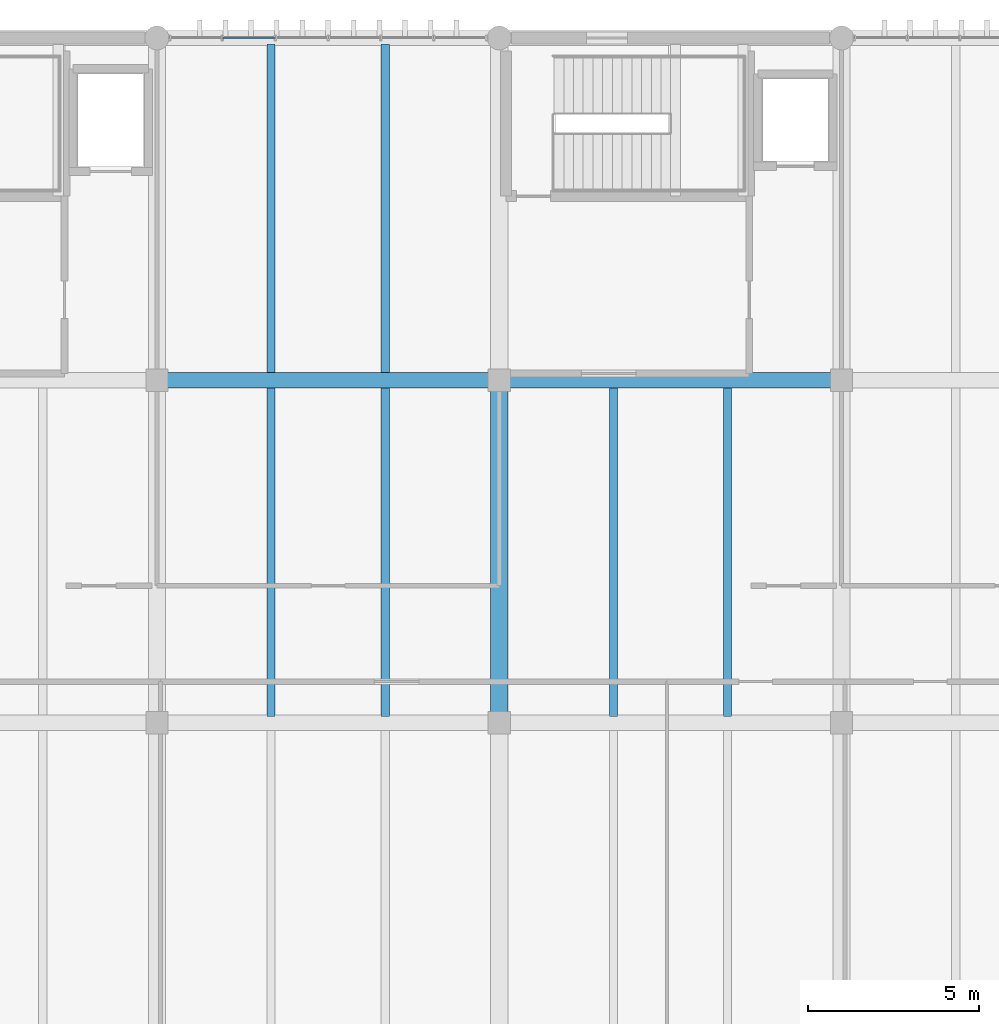
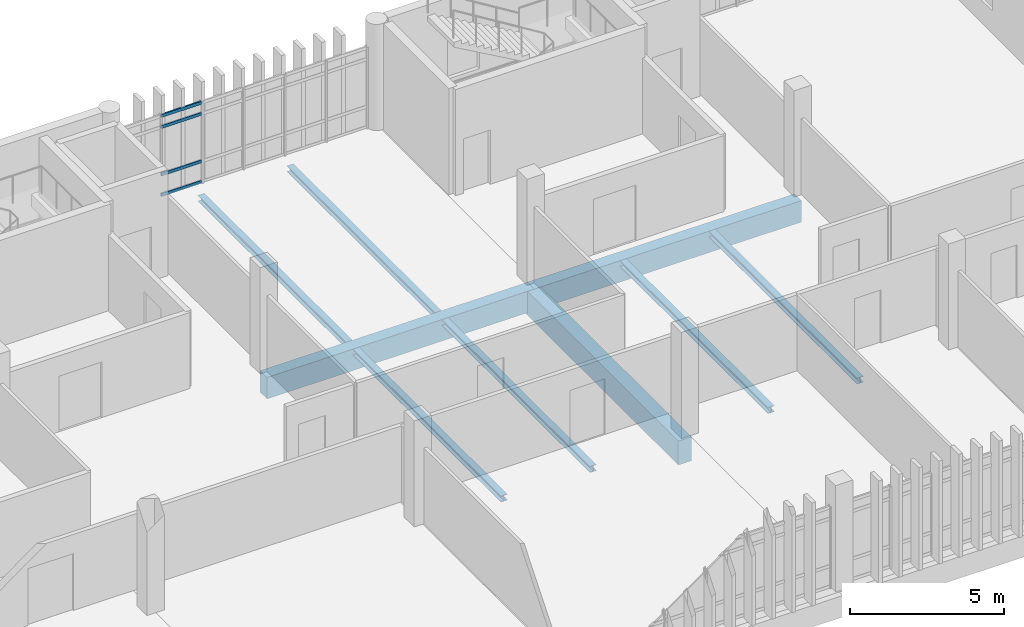
# One storey, part 38 of 82: 9 beams, 4 members, 1 element without a shape of its own.
"""IFC4 building model written with IfcOpenShell, lengths in metres."""

from ifc_helpers import new_model, si_unit, direction, frame, origin, origin_2d, place, context, subcontext, project, spatial, rectangle, hollow_rectangle, i_section, extrude, material, layer, layer_set, material_profile, profile_set, type_object, element, aggregate, save


model = new_model("IFC4")

# Units and contexts
model_context = context("Model", 3, precision=1e-05, world=origin(), true_north=direction((0.0, 1.0)))
body_context = subcontext(model_context, "Body", "Model", "MODEL_VIEW")
ifc_project = project(units=[si_unit("LENGTHUNIT", "METRE"), si_unit("AREAUNIT", "SQUARE_METRE"), si_unit("VOLUMEUNIT", "CUBIC_METRE"), si_unit("PLANEANGLEUNIT", "RADIAN"), si_unit("MASSUNIT", "GRAM", prefix="KILO")], contexts=[model_context])

# Site, building, storey
site_placement = place(None, origin())
site = spatial("IfcSite", under=ifc_project, at=site_placement, CompositionType="ELEMENT")
building_placement = place(site_placement, origin())
building = spatial("IfcBuilding", under=site, at=building_placement, Name="Mersad Railyard Sports Hall", CompositionType="ELEMENT")
storey_placement = place(building_placement, frame((0.0, 0.0, 13.199951171875)))
storey = spatial("IfcBuildingStorey", under=building, at=storey_placement, Name="L03", CompositionType="ELEMENT", Elevation=13.199951171875)

# Curtain wall, members
ifc_material_1 = material(Name="Aluminium 6063-T6", Category="aluminium")
ifc_layer = layer(ifc_material_1, 0.159912109375)
ifc_layer_set = layer_set([ifc_layer], Name="Aluminium 6063-T6")
curtain_wall_type = type_object("IfcCurtainWallType", Name="ARC-CW-CW58", PredefinedType="USERDEFINED", material=ifc_layer_set)
curtain_wall_placement = place(storey_placement, origin())
curtain_wall = element("IfcCurtainWall", 1, at=curtain_wall_placement, inside=storey, type_object=curtain_wall_type, Name="Curtain wall CW58-0153", ObjectType="CURTAIN WALL", PredefinedType="USERDEFINED")
ifc_material_profile_1 = material_profile(ifc_material_1, hollow_rectangle(XDim=0.06005859375, YDim=0.1201171875, WallThickness=0.00390625, at=origin_2d()), Name="AL TRANSOM 60x120x4")
ifc_profile_set_1 = profile_set([ifc_material_profile_1], Name="Aluminium 6063-T6")
member_type = type_object("IfcMemberType", Name="ARC-CW-TRN01", PredefinedType="USERDEFINED", material=ifc_profile_set_1)
member_1_placement = place(storey_placement, frame((102.933349609375, 115.0, 0.0400390625), z_axis=(1.0, 0.0, 0.0), x_axis=(0.0, 1.0, 0.0)))
member_1 = element("IfcMember", 2, at=member_1_placement, type_object=member_type, Name="CW58 Transom 1-2", ObjectType="TRANSOM", PredefinedType="USERDEFINED", context=body_context, shape_type="SweptSolid", body=[
    extrude(hollow_rectangle(XDim=0.06005859375, YDim=0.1201171875, WallThickness=0.00390625, at=origin_2d()), origin(), (0.0, 0.0, 1.0), 1.50341796875),
])
member_2_placement = place(storey_placement, frame((102.933349609375, 115.0, 0.85009765625), z_axis=(1.0, 0.0, 0.0), x_axis=(0.0, 1.0, 0.0)))
member_2 = element("IfcMember", 3, at=member_2_placement, type_object=member_type, Name="CW58 Transom 2-2", ObjectType="TRANSOM", PredefinedType="USERDEFINED", context=body_context, shape_type="SweptSolid", body=[
    extrude(hollow_rectangle(XDim=0.06005859375, YDim=0.1201171875, WallThickness=0.00390625, at=origin_2d()), origin(), (0.0, 0.0, 1.0), 1.50341796875),
])
member_3_placement = place(storey_placement, frame((102.933349609375, 115.0, 2.72998046875), z_axis=(1.0, 0.0, 0.0), x_axis=(0.0, 1.0, 0.0)))
member_3 = element("IfcMember", 4, at=member_3_placement, type_object=member_type, Name="CW58 Transom 3-2", ObjectType="TRANSOM", PredefinedType="USERDEFINED", context=body_context, shape_type="SweptSolid", body=[
    extrude(hollow_rectangle(XDim=0.06005859375, YDim=0.1201171875, WallThickness=0.00390625, at=origin_2d()), origin(), (0.0, 0.0, 1.0), 1.50341796875),
])
member_4_placement = place(storey_placement, frame((102.933349609375, 115.0, 3.170166015625), z_axis=(1.0, 0.0, 0.0), x_axis=(0.0, 1.0, 0.0)))
member_4 = element("IfcMember", 5, at=member_4_placement, type_object=member_type, Name="CW58 Transom 4-2", ObjectType="TRANSOM", PredefinedType="USERDEFINED", context=body_context, shape_type="SweptSolid", body=[
    extrude(hollow_rectangle(XDim=0.06005859375, YDim=0.1201171875, WallThickness=0.00390625, at=origin_2d()), origin(), (0.0, 0.0, 1.0), 1.50341796875),
])
aggregate(curtain_wall, [member_1, member_2, member_3, member_4])

# Beams
ifc_material_2 = material(Name="Concrete C40/50", Category="concrete")
ifc_material_profile_2 = material_profile(ifc_material_2, rectangle(XDim=0.449951171875, YDim=0.85009765625, at=origin_2d()), Name="RC 450x850")
ifc_profile_set_2 = profile_set([ifc_material_profile_2], Name="Concrete C40/50")
beam_type_1 = type_object("IfcBeamType", Name="STR-BM-B02", PredefinedType="BEAM", material=ifc_profile_set_2)
for number, where, z_axis, x_axis, name in (
    (6, (101.0, 105.0, -0.744873046875), (1.0, 0.0, 0.0), (0.0, 1.0, 0.0), "Beam B02-1233"),
    (7, (111.0, 105.0, -0.744873046875), (1.0, 0.0, 0.0), (0.0, 1.0, 0.0), "Beam B02-1234"),
):
    element("IfcBeam", number, at=place(storey_placement, frame(where, z_axis=z_axis, x_axis=x_axis)), inside=storey, type_object=beam_type_1, Name=name, PredefinedType="BEAM", context=body_context, shape_type="SweptSolid", body=[
        extrude(rectangle(XDim=0.449951171875, YDim=0.85009765625, at=origin_2d()), origin(), (0.0, 0.0, 1.0), 10.0),
    ])
ifc_material_3 = material(Name="Concrete C50/60", Category="concrete")
ifc_material_profile_3 = material_profile(ifc_material_3, rectangle(XDim=0.5, YDim=0.949951171875, at=origin_2d()), Name="RC 500x950")
ifc_profile_set_3 = profile_set([ifc_material_profile_3], Name="Concrete C50/60")
beam_type_2 = type_object("IfcBeamType", Name="STR-BM-B03", PredefinedType="BEAM", material=ifc_profile_set_3)
beam_placement = place(storey_placement, frame((111.0, 95.0, -0.794921875), z_axis=(0.0, 1.0, 0.0), x_axis=(-1.0, 0.0, 0.0)))
element("IfcBeam", 8, at=beam_placement, inside=storey, type_object=beam_type_2, Name="Beam B03-1263", PredefinedType="BEAM", context=body_context, shape_type="SweptSolid", body=[
    extrude(rectangle(XDim=0.5, YDim=0.949951171875, at=origin_2d()), origin(), (0.0, 0.0, 1.0), 10.0),
])
ifc_material_4 = material(Name="Steel S355", Category="steel")
ifc_material_profile_4 = material_profile(ifc_material_4, i_section(OverallWidth=0.239990234375, OverallDepth=0.239990234375, WebThickness=0.010009765625, FlangeThickness=0.01708984375, at=origin_2d()), Name="HEB 240")
ifc_profile_set_4 = profile_set([ifc_material_profile_4], Name="Steel S355")
beam_type_3 = type_object("IfcBeamType", Name="STR-BM-SB04", PredefinedType="BEAM", material=ifc_profile_set_4)
for number, where, z_axis, x_axis, name in (
    (9, (104.3330078125, 95.179931640625, -0.43994140625), (0.0, 1.0, 0.0), (-1.0, 0.0, 0.0), "Beam SB04-1300"),
    (10, (107.6669921875, 95.179931640625, -0.43994140625), (0.0, 1.0, 0.0), (-1.0, 0.0, 0.0), "Beam SB04-1301"),
    (11, (104.3330078125, 105.179931640625, -0.43994140625), (0.0, 1.0, 0.0), (-1.0, 0.0, 0.0), "Beam SB04-1302"),
    (12, (107.6669921875, 105.179931640625, -0.43994140625), (0.0, 1.0, 0.0), (-1.0, 0.0, 0.0), "Beam SB04-1303"),
    (13, (114.3330078125, 95.179931640625, -0.43994140625), (0.0, 1.0, 0.0), (-1.0, 0.0, 0.0), "Beam SB04-1306"),
    (14, (117.6669921875, 95.179931640625, -0.43994140625), (0.0, 1.0, 0.0), (-1.0, 0.0, 0.0), "Beam SB04-1307"),
):
    element("IfcBeam", number, at=place(storey_placement, frame(where, z_axis=z_axis, x_axis=x_axis)), inside=storey, type_object=beam_type_3, Name=name, PredefinedType="BEAM", context=body_context, shape_type="SweptSolid", body=[
        extrude(i_section(OverallWidth=0.239990234375, OverallDepth=0.239990234375, WebThickness=0.010009765625, FlangeThickness=0.01708984375, at=origin_2d()), origin(), (0.0, 0.0, 1.0), 9.64013671875),
    ])

save(model, "model.ifc")
